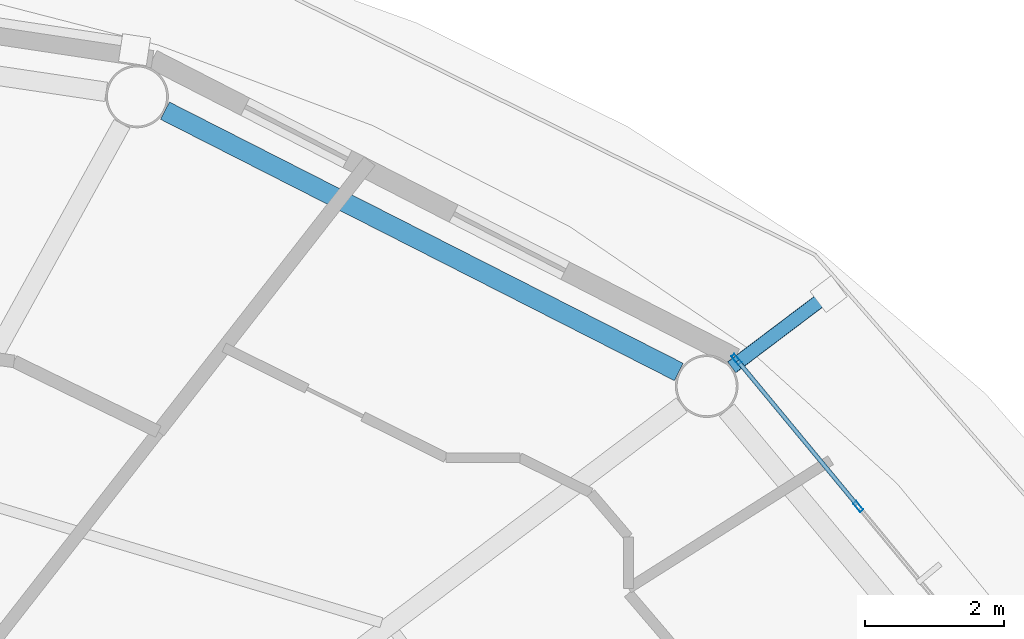
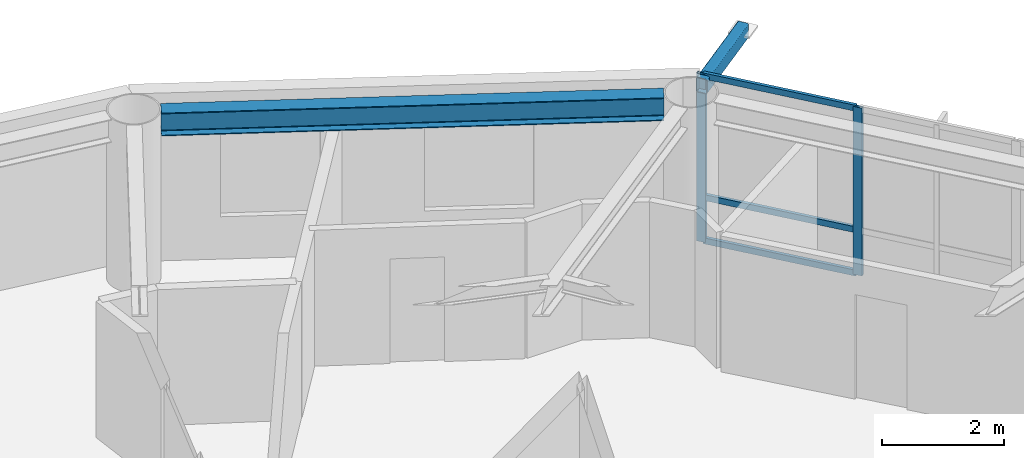
# One storey, part 11 of 22: 6 members, 1 beam, 1 element without a shape of its own.
"""IFC4 building model written with IfcOpenShell, lengths in metres."""

from ifc_helpers import new_model, si_unit, direction, frame, origin, origin_2d, place, context, subcontext, project, spatial, hollow_rectangle, i_section, extrude, material, layer, layer_set, material_profile, profile_set, type_object, element, aggregate, save


model = new_model("IFC4")

# Units and contexts
model_context = context("Model", 3, precision=1e-05, world=origin(), true_north=direction((0.0, 1.0)))
body_context = subcontext(model_context, "Body", "Model", "MODEL_VIEW")
ifc_project = project(units=[si_unit("LENGTHUNIT", "METRE"), si_unit("AREAUNIT", "SQUARE_METRE"), si_unit("VOLUMEUNIT", "CUBIC_METRE"), si_unit("PLANEANGLEUNIT", "RADIAN"), si_unit("MASSUNIT", "GRAM", prefix="KILO")], contexts=[model_context])

# Site, building, storey
site_placement = place(None, origin())
site = spatial("IfcSite", under=ifc_project, at=site_placement, CompositionType="ELEMENT")
building_placement = place(site_placement, origin())
building = spatial("IfcBuilding", under=site, at=building_placement, Name="Sarneth Arch Tower", CompositionType="ELEMENT")
storey_placement = place(building_placement, frame((0.0, 0.0, 301.800048828125)))
storey = spatial("IfcBuildingStorey", under=building, at=storey_placement, Name="L78", CompositionType="ELEMENT", Elevation=301.800048828125)

# Beam
ifc_material_1 = material(Name="Steel S355", Category="steel")
ifc_material_profile_1 = material_profile(ifc_material_1, i_section(OverallWidth=0.280029296875, OverallDepth=0.462890625, WebThickness=0.0107421875, FlangeThickness=0.017333984375, FilletRadius=0.01806640625, at=origin_2d()), Name="W460x113")
ifc_profile_set_1 = profile_set([ifc_material_profile_1], Name="Steel S355")
beam_type = type_object("IfcBeamType", Name="BM-RAD-460A", PredefinedType="BEAM", material=ifc_profile_set_1)
beam_placement = place(storey_placement, frame((65.57421875, 55.780517578125, 3.138427734375), z_axis=(-0.891376248079, 0.453264144138, 0.0), x_axis=(-0.453264144138, -0.891376248079, 0.0)))
element("IfcBeam", 1, at=beam_placement, inside=storey, type_object=beam_type, Name="L78 Perimeter spandrel beam 03", PredefinedType="BEAM", context=body_context, shape_type="SweptSolid", body=[
    extrude(i_section(OverallWidth=0.280029296875, OverallDepth=0.462890625, WebThickness=0.0107421875, FlangeThickness=0.017333984375, FilletRadius=0.01806640625, at=origin_2d()), origin(), (0.0, 0.0, 1.0), 8.281982421875),
])

# Curtain wall, members
ifc_material_2 = material(Name="Anodised aluminium Type AA25 and solar-control low-e laminated IGU", Category="aluminium")
ifc_layer = layer(ifc_material_2, 0.179931640625)
ifc_layer_set = layer_set([ifc_layer], Name="Anodised aluminium Type AA25 and solar-control low-e laminated IGU")
curtain_wall_type = type_object("IfcCurtainWallType", Name="CW-RES-HIGH", PredefinedType="NOTDEFINED", material=ifc_layer_set)
curtain_wall_placement = place(storey_placement, origin())
curtain_wall = element("IfcCurtainWall", 2, at=curtain_wall_placement, inside=storey, type_object=curtain_wall_type, Name="L78 Unitised curtain wall facet 02", PredefinedType="NOTDEFINED")
ifc_material_3 = material(Name="Anodised Aluminium 6063-T6", Category="aluminium")
ifc_material_profile_2 = material_profile(ifc_material_3, hollow_rectangle(XDim=0.06005859375, YDim=0.159912109375, WallThickness=0.00390625, at=origin_2d()), Name="AL-MULL-160x60x4")
ifc_profile_set_2 = profile_set([ifc_material_profile_2], Name="Anodised Aluminium 6063-T6")
member_type_1 = type_object("IfcMemberType", Name="CW-MULLION", PredefinedType="MULLION", material=ifc_profile_set_2)
member_1_placement = place(storey_placement, frame((68.15283203125, 53.84765625, 0.0), z_axis=(0.0, 0.0, 1.0), x_axis=(-0.770359245933, -0.637610094184, 0.0)))
member_1 = element("IfcMember", 3, at=member_1_placement, type_object=member_type_1, Name="CW-SYS-6 mullion 3", PredefinedType="MULLION", context=body_context, shape_type="SweptSolid", body=[
    extrude(hollow_rectangle(XDim=0.06005859375, YDim=0.159912109375, WallThickness=0.00390625, at=origin_2d()), origin(), (0.0, 0.0, 1.0), 3.369873046875),
])
member_2_placement = place(storey_placement, frame((66.401611328125, 55.96337890625, 0.0), z_axis=(0.0, 0.0, 1.0), x_axis=(-0.770359245933, -0.637610094184, 0.0)))
member_2 = element("IfcMember", 4, at=member_2_placement, type_object=member_type_1, Name="CW-SYS-6 mullion 4", PredefinedType="MULLION", context=body_context, shape_type="SweptSolid", body=[
    extrude(hollow_rectangle(XDim=0.06005859375, YDim=0.159912109375, WallThickness=0.00390625, at=origin_2d()), origin(), (0.0, 0.0, 1.0), 3.369873046875),
])
ifc_material_4 = material(Name="Anodised Aluminium 6063-T6", Category="aluminium")
ifc_material_profile_3 = material_profile(ifc_material_4, hollow_rectangle(XDim=0.06005859375, YDim=0.1201171875, WallThickness=0.00390625, at=origin_2d()), Name="AL-TRAN-120x60x4")
ifc_profile_set_3 = profile_set([ifc_material_profile_3], Name="Anodised Aluminium 6063-T6")
member_type_2 = type_object("IfcMemberType", Name="CW-TRANSOM", PredefinedType="USERDEFINED", material=ifc_profile_set_3)
member_3_placement = place(storey_placement, frame((68.1337890625, 53.87060546875, 0.030029296875), z_axis=(-0.637606765719, 0.770362000821, 0.0), x_axis=(-0.770362000821, -0.637606765719, 0.0)))
member_3 = element("IfcMember", 5, at=member_3_placement, type_object=member_type_2, Name="CW-SYS-6 transom 3.1", ObjectType="TRANSOM", PredefinedType="USERDEFINED", context=body_context, shape_type="SweptSolid", body=[
    extrude(hollow_rectangle(XDim=0.06005859375, YDim=0.1201171875, WallThickness=0.00390625, at=origin_2d()), origin(), (0.0, 0.0, 1.0), 2.686767578125),
])
member_4_placement = place(storey_placement, frame((68.1337890625, 53.87060546875, 0.89990234375), z_axis=(-0.637606765719, 0.770362000821, 0.0), x_axis=(-0.770362000821, -0.637606765719, 0.0)))
member_4 = element("IfcMember", 6, at=member_4_placement, type_object=member_type_2, Name="CW-SYS-6 transom 3.2", ObjectType="TRANSOM", PredefinedType="USERDEFINED", context=body_context, shape_type="SweptSolid", body=[
    extrude(hollow_rectangle(XDim=0.06005859375, YDim=0.1201171875, WallThickness=0.00390625, at=origin_2d()), origin(), (0.0, 0.0, 1.0), 2.686767578125),
])
member_5_placement = place(storey_placement, frame((68.1337890625, 53.87060546875, 3.33984375), z_axis=(-0.637606765719, 0.770362000821, 0.0), x_axis=(-0.770362000821, -0.637606765719, 0.0)))
member_5 = element("IfcMember", 7, at=member_5_placement, type_object=member_type_2, Name="CW-SYS-6 transom 3.3", ObjectType="TRANSOM", PredefinedType="USERDEFINED", context=body_context, shape_type="SweptSolid", body=[
    extrude(hollow_rectangle(XDim=0.06005859375, YDim=0.1201171875, WallThickness=0.00390625, at=origin_2d()), origin(), (0.0, 0.0, 1.0), 2.686767578125),
])
aggregate(curtain_wall, [member_1, member_2, member_3, member_4, member_5])

# Member
ifc_material_5 = material(Name="Steel S355", Category="steel")
ifc_material_profile_4 = material_profile(ifc_material_5, hollow_rectangle(XDim=0.199951171875, YDim=0.300048828125, WallThickness=0.012451171875, InnerFilletRadius=0.018798828125, OuterFilletRadius=0.03125, at=origin_2d()), Name="RHS300x200x12.5")
ifc_profile_set_4 = profile_set([ifc_material_profile_4], Name="Steel S355")
member_type_3 = type_object("IfcMemberType", Name="MEM-CANT-STRUT", PredefinedType="STRUT", material=ifc_profile_set_4)
member_6_placement = place(storey_placement, frame((66.334228515625, 55.84765625, 3.2099609375), z_axis=(0.797998825085, 0.60265900405, 0.0), x_axis=(-0.60265900405, 0.797998825085, 0.0)))
element("IfcMember", 8, at=member_6_placement, inside=storey, type_object=member_type_3, Name="L78 Balcony cantilever bracket 03", PredefinedType="STRUT", context=body_context, shape_type="SweptSolid", body=[
    extrude(hollow_rectangle(XDim=0.199951171875, YDim=0.300048828125, WallThickness=0.012451171875, InnerFilletRadius=0.018798828125, OuterFilletRadius=0.03125, at=origin_2d()), origin(), (0.0, 0.0, 1.0), 1.74609375),
])

save(model, "model.ifc")
